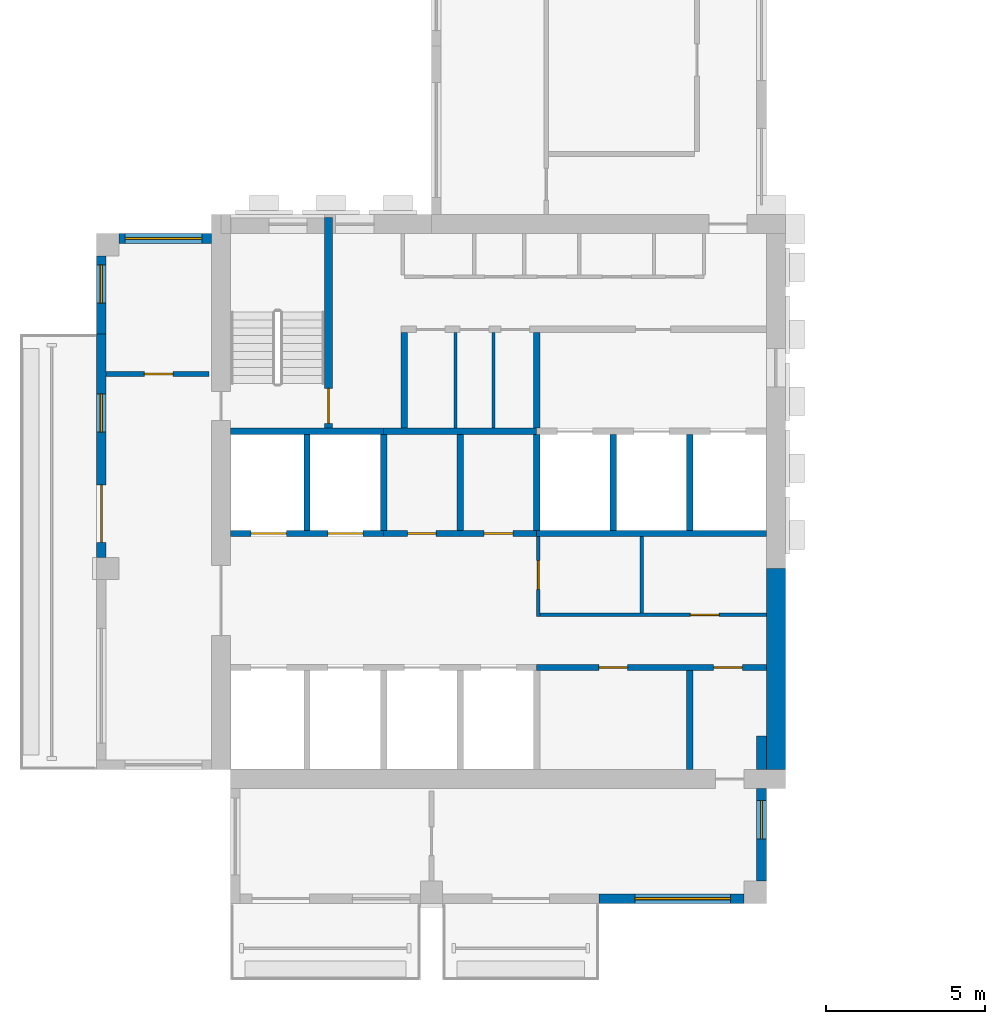
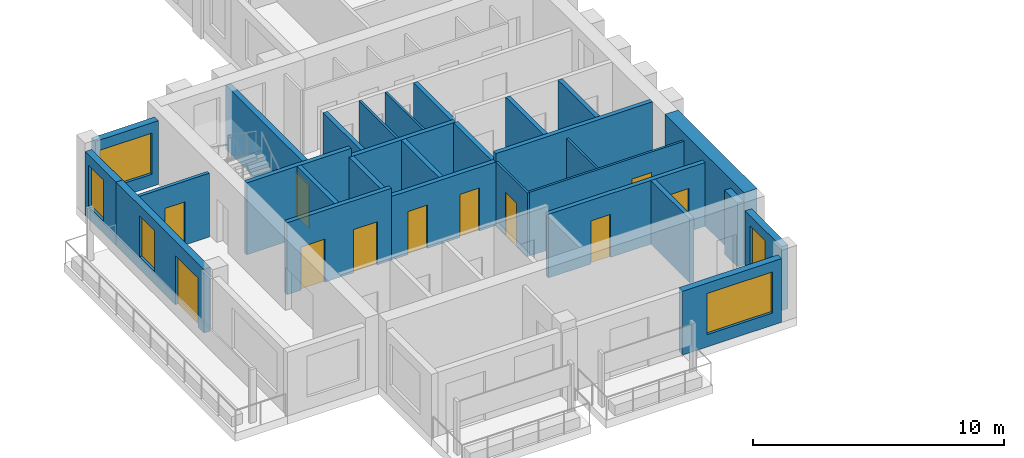
# One storey, part 2 of 9: 29 walls, 11 doors, 5 windows, 16 openings.
"""IFC4 building model written with IfcOpenShell, lengths in metres."""

from ifc_helpers import new_model, si_unit, direction, frame, frame_2d, origin, place, context, subcontext, project, spatial, rectangle, extrude, source, transform, mapped, material, layer, layer_set, type_object, element, fill, save


model = new_model("IFC4")

# Units and contexts
model_context = context("Model", 3, precision=1e-05, world=origin(), true_north=direction((0.0, 1.0)))
body_context = subcontext(model_context, "Body", "Model", "MODEL_VIEW")
ifc_project = project(units=[si_unit("LENGTHUNIT", "METRE"), si_unit("AREAUNIT", "SQUARE_METRE"), si_unit("VOLUMEUNIT", "CUBIC_METRE"), si_unit("PLANEANGLEUNIT", "RADIAN"), si_unit("MASSUNIT", "GRAM", prefix="KILO")], contexts=[model_context])

# Site, building, storey
site_placement = place(None, origin())
site = spatial("IfcSite", under=ifc_project, at=site_placement, CompositionType="ELEMENT")
building_placement = place(site_placement, origin())
building = spatial("IfcBuilding", under=site, at=building_placement, Name="Aurelian Terraces", CompositionType="ELEMENT")
storey_placement = place(building_placement, frame((0.0, 0.0, 298.5)))
storey = spatial("IfcBuildingStorey", under=building, at=storey_placement, Name="L68", CompositionType="ELEMENT", Elevation=298.5)

# Wall, opening, window
ifc_material_1 = material(Name="Terracotta rainscreen cladding", Category="masonry")
ifc_layer_1 = layer(ifc_material_1, 0.3)
ifc_layer_set_1 = layer_set([ifc_layer_1], Name="EW-300")
wall_type_1 = type_object("IfcWallType", Name="EW-300", PredefinedType="STANDARD", material=ifc_layer_set_1)
wall_1_placement = place(storey_placement, frame((15.75, 0.15, 0.0), z_axis=(0.0, 0.0, 1.0), x_axis=(1.0, 0.0, 0.0)))
wall_1 = element("IfcWall", 1, at=wall_1_placement, inside=storey, type_object=wall_type_1, Name="External wall L68 F01.3", PredefinedType="STANDARD", context=body_context, shape_type="SweptSolid", body=[
    extrude(rectangle(XDim=4.55, YDim=0.3, at=frame_2d((2.275, 0.0))), origin(), (0.0, 0.0, 1.0), 3.1),
])
shared_shape_1 = source(origin(), body_context, "Body", "SweptSolid", [
    extrude(rectangle(XDim=3.0, YDim=2.0, at=frame_2d((1.5, 1.0))), frame((0.0, 0.16, 0.0), z_axis=(0.0, -1.0, 0.0), x_axis=(1.0, 0.0, 0.0)), (0.0, 0.0, 1.0), 0.32),
])
opening_1_placement = place(wall_1_placement, frame((1.125, 0.0, 0.6)))
opening_1 = element("IfcOpeningElement", 2, at=opening_1_placement, cuts=wall_1, Name="Opening W3020", PredefinedType="OPENING", context=body_context, shape_type="MappedRepresentation", body=[
    mapped(shared_shape_1, transform((0.0, 0.0, 0.0), scale=1.0)),
])
ifc_material_2 = material(Name="Clear glazing", Category="glass")
window_type_1 = type_object("IfcWindowType", Name="W-3000x2000", PartitioningType="SINGLE_PANEL", PredefinedType="WINDOW", material=ifc_material_2)
shared_shape_2 = source(origin(), body_context, "Body", "SweptSolid", [
    extrude(rectangle(XDim=3.0, YDim=2.0, at=frame_2d((1.5, 1.0))), frame((0.0, 0.03, 0.0), z_axis=(0.0, -1.0, 0.0), x_axis=(1.0, 0.0, 0.0)), (0.0, 0.0, 1.0), 0.06),
])
window_1_placement = place(opening_1_placement, origin())
window_1 = element("IfcWindow", 3, at=window_1_placement, inside=storey, type_object=window_type_1, Name="Window L68 L68-F01-03-0", OverallHeight=2.0, OverallWidth=3.0, PartitioningType="SINGLE_PANEL", PredefinedType="WINDOW", context=body_context, shape_type="MappedRepresentation", body=[
    mapped(shared_shape_2, transform((0.0, 0.0, 0.0), scale=1.0)),
])
fill(opening_1, window_1)

# Wall
ifc_material_3 = material(Name="Concrete fc' 55 MPa", Category="concrete")
ifc_layer_2 = layer(ifc_material_3, 0.6)
ifc_layer_set_2 = layer_set([ifc_layer_2], Name="CORE WALL 600 FC55")
wall_type_2 = type_object("IfcWallType", Name="CORE WALL 600 FC55", PredefinedType="SHEAR", material=ifc_layer_set_2)
shared_shape_3 = source(origin(), body_context, "Body", "SweptSolid", [
    extrude(rectangle(XDim=6.3, YDim=0.6, at=frame_2d((3.15, 0.0))), origin(), (0.0, 0.0, 1.0), 3.5),
])
wall_2_placement = place(storey_placement, frame((21.3, 4.2, 0.0), z_axis=(0.0, 0.0, 1.0), x_axis=(0.0, 1.0, 0.0)))
element("IfcWall", 4, at=wall_2_placement, inside=storey, type_object=wall_type_2, Name="Core wall E L68", PredefinedType="SHEAR", context=body_context, shape_type="MappedRepresentation", body=[
    mapped(shared_shape_3, transform((0.0, 0.0, 0.0), scale=1.0)),
])

# Wall, opening, window
shared_shape_4 = source(origin(), body_context, "Body", "SweptSolid", [
    extrude(rectangle(XDim=2.9, YDim=0.3, at=frame_2d((1.45, 0.0))), origin(), (0.0, 0.0, 1.0), 3.1),
])
wall_3_placement = place(storey_placement, frame((20.85, 0.7, 0.0), z_axis=(0.0, 0.0, 1.0), x_axis=(0.0, 1.0, 0.0)))
wall_3 = element("IfcWall", 5, at=wall_3_placement, inside=storey, type_object=wall_type_1, Name="External wall L68 F02.4", PredefinedType="STANDARD", context=body_context, shape_type="MappedRepresentation", body=[
    mapped(shared_shape_4, transform((0.0, 0.0, 0.0), scale=1.0)),
])
shared_shape_5 = source(origin(), body_context, "Body", "SweptSolid", [
    extrude(rectangle(XDim=1.2, YDim=2.0, at=frame_2d((0.6, 1.0))), frame((0.0, 0.16, 0.0), z_axis=(0.0, -1.0, 0.0), x_axis=(1.0, 0.0, 0.0)), (0.0, 0.0, 1.0), 0.32),
])
opening_2_placement = place(wall_3_placement, frame((1.325, 0.0, 0.6)))
opening_2 = element("IfcOpeningElement", 6, at=opening_2_placement, cuts=wall_3, Name="Opening W1220", PredefinedType="OPENING", context=body_context, shape_type="MappedRepresentation", body=[
    mapped(shared_shape_5, transform((0.0, 0.0, 0.0), scale=1.0)),
])
window_type_2 = type_object("IfcWindowType", Name="W-1200x2000", PartitioningType="SINGLE_PANEL", PredefinedType="WINDOW", material=ifc_material_2)
shared_shape_6 = source(origin(), body_context, "Body", "SweptSolid", [
    extrude(rectangle(XDim=1.2, YDim=2.0, at=frame_2d((0.6, 1.0))), frame((0.0, 0.03, 0.0), z_axis=(0.0, -1.0, 0.0), x_axis=(1.0, 0.0, 0.0)), (0.0, 0.0, 1.0), 0.06),
])
window_2_placement = place(opening_2_placement, origin())
window_2 = element("IfcWindow", 7, at=window_2_placement, inside=storey, type_object=window_type_2, Name="Window L68 L68-F02-04-0", OverallHeight=2.0, OverallWidth=1.2, PartitioningType="SINGLE_PANEL", PredefinedType="WINDOW", context=body_context, shape_type="MappedRepresentation", body=[
    mapped(shared_shape_6, transform((0.0, 0.0, 0.0), scale=1.0)),
])
fill(opening_2, window_2)

wall_4_placement = place(storey_placement, frame((3.6, 20.85, 0.0), z_axis=(0.0, 0.0, 1.0), x_axis=(-1.0, 0.0, 0.0)))
wall_4 = element("IfcWall", 8, at=wall_4_placement, inside=storey, type_object=wall_type_1, Name="External wall L68 F09.18", PredefinedType="STANDARD", context=body_context, shape_type="MappedRepresentation", body=[
    mapped(shared_shape_4, transform((0.0, 0.0, 0.0), scale=1.0)),
])
shared_shape_7 = source(origin(), body_context, "Body", "SweptSolid", [
    extrude(rectangle(XDim=2.4, YDim=2.0, at=frame_2d((1.2, 1.0))), frame((0.0, 0.16, 0.0), z_axis=(0.0, -1.0, 0.0), x_axis=(1.0, 0.0, 0.0)), (0.0, 0.0, 1.0), 0.32),
])
opening_3_placement = place(wall_4_placement, frame((0.3, 0.0, 0.6)))
opening_3 = element("IfcOpeningElement", 9, at=opening_3_placement, cuts=wall_4, Name="Opening W2420", PredefinedType="OPENING", context=body_context, shape_type="MappedRepresentation", body=[
    mapped(shared_shape_7, transform((0.0, 0.0, 0.0), scale=1.0)),
])
window_type_3 = type_object("IfcWindowType", Name="W-2400x2000", PartitioningType="SINGLE_PANEL", PredefinedType="WINDOW", material=ifc_material_2)
shared_shape_8 = source(origin(), body_context, "Body", "SweptSolid", [
    extrude(rectangle(XDim=2.4, YDim=2.0, at=frame_2d((1.2, 1.0))), frame((0.0, 0.03, 0.0), z_axis=(0.0, -1.0, 0.0), x_axis=(1.0, 0.0, 0.0)), (0.0, 0.0, 1.0), 0.06),
])
window_3_placement = place(opening_3_placement, origin())
window_3 = element("IfcWindow", 10, at=window_3_placement, inside=storey, type_object=window_type_3, Name="Window L68 L68-F09-18-0", OverallHeight=2.0, OverallWidth=2.4, PartitioningType="SINGLE_PANEL", PredefinedType="WINDOW", context=body_context, shape_type="MappedRepresentation", body=[
    mapped(shared_shape_8, transform((0.0, 0.0, 0.0), scale=1.0)),
])
fill(opening_3, window_3)

# Wall
shared_shape_9 = source(origin(), body_context, "Body", "SweptSolid", [
    extrude(rectangle(XDim=1.05, YDim=0.3, at=frame_2d((0.525, 0.0))), origin(), (0.0, 0.0, 1.0), 3.1),
])
wall_5_placement = place(storey_placement, frame((20.85, 4.2, 0.0), z_axis=(0.0, 0.0, 1.0), x_axis=(0.0, 1.0, 0.0)))
element("IfcWall", 11, at=wall_5_placement, inside=storey, type_object=wall_type_1, Name="External wall L68 F02.4", PredefinedType="STANDARD", context=body_context, shape_type="MappedRepresentation", body=[
    mapped(shared_shape_9, transform((0.0, 0.0, 0.0), scale=1.0)),
])

# Wall, opening, window
shared_shape_10 = source(origin(), body_context, "Body", "SweptSolid", [
    extrude(rectangle(XDim=2.45, YDim=0.3, at=frame_2d((1.225, 0.0))), origin(), (0.0, 0.0, 1.0), 3.1),
])
wall_6_placement = place(storey_placement, frame((0.15, 20.3, 0.0), z_axis=(0.0, 0.0, 1.0), x_axis=(0.0, -1.0, 0.0)))
wall_6 = element("IfcWall", 12, at=wall_6_placement, inside=storey, type_object=wall_type_1, Name="External wall L68 F10.19", PredefinedType="STANDARD", context=body_context, shape_type="MappedRepresentation", body=[
    mapped(shared_shape_10, transform((0.0, 0.0, 0.0), scale=1.0)),
])
opening_4_placement = place(wall_6_placement, frame((0.275, 0.0, 0.6)))
opening_4 = element("IfcOpeningElement", 13, at=opening_4_placement, cuts=wall_6, Name="Opening W1220", PredefinedType="OPENING", context=body_context, shape_type="MappedRepresentation", body=[
    mapped(shared_shape_5, transform((0.0, 0.0, 0.0), scale=1.0)),
])
window_4_placement = place(opening_4_placement, origin())
window_4 = element("IfcWindow", 14, at=window_4_placement, inside=storey, type_object=window_type_2, Name="Window L68 L68-F10-19-0", OverallHeight=2.0, OverallWidth=1.2, PartitioningType="SINGLE_PANEL", PredefinedType="WINDOW", context=body_context, shape_type="MappedRepresentation", body=[
    mapped(shared_shape_6, transform((0.0, 0.0, 0.0), scale=1.0)),
])
fill(opening_4, window_4)

# Wall, openings, door, window
shared_shape_11 = source(origin(), body_context, "Body", "SweptSolid", [
    extrude(rectangle(XDim=7.0, YDim=0.3, at=frame_2d((3.5, 0.0))), origin(), (0.0, 0.0, 1.0), 3.1),
])
wall_7_placement = place(storey_placement, frame((0.15, 17.85, 0.0), z_axis=(0.0, 0.0, 1.0), x_axis=(0.0, -1.0, 0.0)))
wall_7 = element("IfcWall", 15, at=wall_7_placement, inside=storey, type_object=wall_type_1, Name="External wall L68 F10.20", PredefinedType="STANDARD", context=body_context, shape_type="MappedRepresentation", body=[
    mapped(shared_shape_11, transform((0.0, 0.0, 0.0), scale=1.0)),
])
shared_shape_12 = source(origin(), body_context, "Body", "SweptSolid", [
    extrude(rectangle(XDim=1.8, YDim=2.4, at=frame_2d((0.9, 1.2))), frame((0.0, 0.16, 0.0), z_axis=(0.0, -1.0, 0.0), x_axis=(1.0, 0.0, 0.0)), (0.0, 0.0, 1.0), 0.32),
])
opening_5_placement = place(wall_7_placement, frame((4.725, 0.0, 0.0)))
opening_5 = element("IfcOpeningElement", 16, at=opening_5_placement, cuts=wall_7, Name="Opening 86803", PredefinedType="OPENING", context=body_context, shape_type="MappedRepresentation", body=[
    mapped(shared_shape_12, transform((0.0, 0.0, 0.0), scale=1.0)),
])
opening_6_placement = place(wall_7_placement, frame((1.8688, 0.0, 0.6)))
opening_6 = element("IfcOpeningElement", 17, at=opening_6_placement, cuts=wall_7, Name="Opening W1220", PredefinedType="OPENING", context=body_context, shape_type="MappedRepresentation", body=[
    mapped(shared_shape_5, transform((0.0, 0.0, 0.0), scale=1.0)),
])
door_type_1 = type_object("IfcDoorType", Name="BD-1800x2400", OperationType="SLIDING_TO_LEFT", PredefinedType="DOOR", material=ifc_material_2)
shared_shape_13 = source(origin(), body_context, "Body", "SweptSolid", [
    extrude(rectangle(XDim=1.8, YDim=2.4, at=frame_2d((0.9, 1.2))), frame((0.0, 0.025, 0.0), z_axis=(0.0, -1.0, 0.0), x_axis=(1.0, 0.0, 0.0)), (0.0, 0.0, 1.0), 0.05),
])
door_1_placement = place(opening_5_placement, origin())
door_1 = element("IfcDoor", 18, at=door_1_placement, inside=storey, type_object=door_type_1, Name="Balcony door L68 F10.20", OperationType="SLIDING_TO_LEFT", OverallHeight=2.4, OverallWidth=1.8, PredefinedType="DOOR", context=body_context, shape_type="MappedRepresentation", body=[
    mapped(shared_shape_13, transform((0.0, 0.0, 0.0), scale=1.0)),
])
fill(opening_5, door_1)
window_5_placement = place(opening_6_placement, origin())
window_5 = element("IfcWindow", 19, at=window_5_placement, inside=storey, type_object=window_type_2, Name="Window L68 L68-F10-20-G0-0", OverallHeight=2.0, OverallWidth=1.2, PartitioningType="SINGLE_PANEL", PredefinedType="WINDOW", context=body_context, shape_type="MappedRepresentation", body=[
    mapped(shared_shape_6, transform((0.0, 0.0, 0.0), scale=1.0)),
])
fill(opening_6, window_5)

# Walls
ifc_material_4 = material(Name="Concrete fc' 40 MPa", Category="concrete")
ifc_layer_3 = layer(ifc_material_4, 0.2)
ifc_layer_set_3 = layer_set([ifc_layer_3], Name="Lift shaft wall 200")
wall_type_3 = type_object("IfcWallType", Name="Lift shaft wall 200", PredefinedType="SOLIDWALL", material=ifc_layer_set_3)
shared_shape_14 = source(origin(), body_context, "Body", "SweptSolid", [
    extrude(rectangle(XDim=3.0, YDim=0.2, at=frame_2d((1.5, 0.0))), origin(), (0.0, 0.0, 1.0), 3.1),
])
for number, where, z_axis, x_axis, name in (
    (20, (9.0, 11.7, 0.0), (0.0, 0.0, 1.0), (0.0, 1.0, 0.0), "L68 core wall CD-B2"),
    (21, (13.8, 11.7, 0.0), (0.0, 0.0, 1.0), (0.0, 1.0, 0.0), "L68 core wall CD-B4"),
):
    element("IfcWall", number, at=place(storey_placement, frame(where, z_axis=z_axis, x_axis=x_axis)), inside=storey, type_object=wall_type_3, Name=name, PredefinedType="SOLIDWALL", context=body_context, shape_type="MappedRepresentation", body=[
        mapped(shared_shape_14, transform((0.0, 0.0, 0.0), scale=1.0)),
    ])
shared_shape_15 = source(origin(), body_context, "Body", "SweptSolid", [
    extrude(rectangle(XDim=3.0, YDim=0.2, at=frame_2d((1.5, 0.0))), origin(), (0.0, 0.0, 1.0), 3.5),
])
for number, where, z_axis, x_axis, name in (
    (22, (6.6, 11.7, 0.0), (0.0, 0.0, 1.0), (0.0, 1.0, 0.0), "L68 core wall CD-B1"),
    (23, (16.2, 11.7, 0.0), (0.0, 0.0, 1.0), (0.0, 1.0, 0.0), "L68 core wall CD-B5"),
    (24, (18.6, 11.7, 0.0), (0.0, 0.0, 1.0), (0.0, 1.0, 0.0), "L68 core wall CD-B6"),
):
    element("IfcWall", number, at=place(storey_placement, frame(where, z_axis=z_axis, x_axis=x_axis)), inside=storey, type_object=wall_type_3, Name=name, PredefinedType="SOLIDWALL", context=body_context, shape_type="MappedRepresentation", body=[
        mapped(shared_shape_15, transform((0.0, 0.0, 0.0), scale=1.0)),
    ])

# Wall, openings, doors
shared_shape_16 = source(origin(), body_context, "Body", "SweptSolid", [
    extrude(rectangle(XDim=4.8, YDim=0.2, at=frame_2d((2.4, 0.0))), origin(), (0.0, 0.0, 1.0), 3.5),
])
wall_8_placement = place(storey_placement, frame((4.2, 11.6, 0.0), z_axis=(0.0, 0.0, 1.0), x_axis=(1.0, 0.0, 0.0)))
wall_8 = element("IfcWall", 25, at=wall_8_placement, inside=storey, type_object=wall_type_3, Name="L68 core wall CF-BF1", PredefinedType="SOLIDWALL", context=body_context, shape_type="MappedRepresentation", body=[
    mapped(shared_shape_16, transform((0.0, 0.0, 0.0), scale=1.0)),
])
shared_shape_17 = source(origin(), body_context, "Body", "SweptSolid", [
    extrude(rectangle(XDim=1.1, YDim=2.1, at=frame_2d((0.55, 1.05))), frame((0.0, 0.11, 0.0), z_axis=(0.0, -1.0, 0.0), x_axis=(1.0, 0.0, 0.0)), (0.0, 0.0, 1.0), 0.22),
])
opening_7_placement = place(wall_8_placement, frame((0.65, 0.0, 0.0)))
opening_7 = element("IfcOpeningElement", 26, at=opening_7_placement, cuts=wall_8, Name="Opening 67106", PredefinedType="OPENING", context=body_context, shape_type="MappedRepresentation", body=[
    mapped(shared_shape_17, transform((0.0, 0.0, 0.0), scale=1.0)),
])
opening_8_placement = place(wall_8_placement, frame((3.05, 0.0, 0.0)))
opening_8 = element("IfcOpeningElement", 27, at=opening_8_placement, cuts=wall_8, Name="Opening 67107", PredefinedType="OPENING", context=body_context, shape_type="MappedRepresentation", body=[
    mapped(shared_shape_17, transform((0.0, 0.0, 0.0), scale=1.0)),
])
ifc_material_5 = material(Name="Stainless steel", Category="steel")
door_type_2 = type_object("IfcDoorType", Name="Lift landing door 1100x2100", OperationType="SLIDING_TO_LEFT", PredefinedType="DOOR", material=ifc_material_5)
shared_shape_18 = source(origin(), body_context, "Body", "SweptSolid", [
    extrude(rectangle(XDim=1.1, YDim=2.1, at=frame_2d((0.55, 1.05))), frame((0.0, 0.025, 0.0), z_axis=(0.0, -1.0, 0.0), x_axis=(1.0, 0.0, 0.0)), (0.0, 0.0, 1.0), 0.05),
])
door_2_placement = place(opening_7_placement, origin())
door_2 = element("IfcDoor", 28, at=door_2_placement, inside=storey, type_object=door_type_2, Name="Lift landing door LH5 L68", OperationType="SLIDING_TO_LEFT", OverallHeight=2.1, OverallWidth=1.1, PredefinedType="DOOR", context=body_context, shape_type="MappedRepresentation", body=[
    mapped(shared_shape_18, transform((0.0, 0.0, 0.0), scale=1.0)),
])
fill(opening_7, door_2)
door_3_placement = place(opening_8_placement, origin())
door_3 = element("IfcDoor", 29, at=door_3_placement, inside=storey, type_object=door_type_2, Name="Lift landing door LH6 L68", OperationType="SLIDING_TO_LEFT", OverallHeight=2.1, OverallWidth=1.1, PredefinedType="DOOR", context=body_context, shape_type="MappedRepresentation", body=[
    mapped(shared_shape_18, transform((0.0, 0.0, 0.0), scale=1.0)),
])
fill(opening_8, door_3)

# Wall
wall_9_placement = place(storey_placement, frame((4.2, 14.8, 0.0), z_axis=(0.0, 0.0, 1.0), x_axis=(1.0, 0.0, 0.0)))
element("IfcWall", 30, at=wall_9_placement, inside=storey, type_object=wall_type_3, Name="L68 core wall CF-BB1", PredefinedType="SOLIDWALL", context=body_context, shape_type="MappedRepresentation", body=[
    mapped(shared_shape_16, transform((0.0, 0.0, 0.0), scale=1.0)),
])

# Wall, openings, doors
shared_shape_19 = source(origin(), body_context, "Body", "SweptSolid", [
    extrude(rectangle(XDim=4.8, YDim=0.2, at=frame_2d((2.4, 0.0))), origin(), (0.0, 0.0, 1.0), 3.1),
])
wall_10_placement = place(storey_placement, frame((9.0, 11.6, 0.0), z_axis=(0.0, 0.0, 1.0), x_axis=(1.0, 0.0, 0.0)))
wall_10 = element("IfcWall", 31, at=wall_10_placement, inside=storey, type_object=wall_type_3, Name="L68 core wall CF-BF2", PredefinedType="SOLIDWALL", context=body_context, shape_type="MappedRepresentation", body=[
    mapped(shared_shape_19, transform((0.0, 0.0, 0.0), scale=1.0)),
])
shared_shape_20 = source(origin(), body_context, "Body", "SweptSolid", [
    extrude(rectangle(XDim=0.9, YDim=2.1, at=frame_2d((0.45, 1.05))), frame((0.0, 0.11, 0.0), z_axis=(0.0, -1.0, 0.0), x_axis=(1.0, 0.0, 0.0)), (0.0, 0.0, 1.0), 0.22),
])
opening_9_placement = place(wall_10_placement, frame((0.75, 0.0, 0.0)))
opening_9 = element("IfcOpeningElement", 32, at=opening_9_placement, cuts=wall_10, Name="Opening 67108", PredefinedType="OPENING", context=body_context, shape_type="MappedRepresentation", body=[
    mapped(shared_shape_20, transform((0.0, 0.0, 0.0), scale=1.0)),
])
opening_10_placement = place(wall_10_placement, frame((3.15, 0.0, 0.0)))
opening_10 = element("IfcOpeningElement", 33, at=opening_10_placement, cuts=wall_10, Name="Opening 67109", PredefinedType="OPENING", context=body_context, shape_type="MappedRepresentation", body=[
    mapped(shared_shape_20, transform((0.0, 0.0, 0.0), scale=1.0)),
])
ifc_material_6 = material(Name="Steel door leaf", Category="steel")
door_type_3 = type_object("IfcDoorType", Name="Core service door 900x2100 right", OperationType="SINGLE_SWING_RIGHT", PredefinedType="DOOR", material=ifc_material_6)
shared_shape_21 = source(origin(), body_context, "Body", "SweptSolid", [
    extrude(rectangle(XDim=0.9, YDim=2.1, at=frame_2d((0.45, 1.05))), frame((0.0, 0.025, 0.0), z_axis=(0.0, -1.0, 0.0), x_axis=(1.0, 0.0, 0.0)), (0.0, 0.0, 1.0), 0.05),
])
door_4_placement = place(opening_9_placement, origin())
door_4 = element("IfcDoor", 34, at=door_4_placement, inside=storey, type_object=door_type_3, Name="Room door 67108", OperationType="SINGLE_SWING_RIGHT", OverallHeight=2.1, OverallWidth=0.9, PredefinedType="DOOR", context=body_context, shape_type="MappedRepresentation", body=[
    mapped(shared_shape_21, transform((0.0, 0.0, 0.0), scale=1.0)),
])
fill(opening_9, door_4)
door_type_4 = type_object("IfcDoorType", Name="Core service door 900x2100", OperationType="SINGLE_SWING_LEFT", PredefinedType="DOOR", material=ifc_material_6)
door_5_placement = place(opening_10_placement, origin())
door_5 = element("IfcDoor", 35, at=door_5_placement, inside=storey, type_object=door_type_4, Name="Room door 67109", OperationType="SINGLE_SWING_LEFT", OverallHeight=2.1, OverallWidth=0.9, PredefinedType="DOOR", context=body_context, shape_type="MappedRepresentation", body=[
    mapped(shared_shape_21, transform((0.0, 0.0, 0.0), scale=1.0)),
])
fill(opening_10, door_5)

# Walls
wall_11_placement = place(storey_placement, frame((9.0, 14.8, 0.0), z_axis=(0.0, 0.0, 1.0), x_axis=(1.0, 0.0, 0.0)))
element("IfcWall", 36, at=wall_11_placement, inside=storey, type_object=wall_type_3, Name="L68 core wall CF-BB2", PredefinedType="SOLIDWALL", context=body_context, shape_type="MappedRepresentation", body=[
    mapped(shared_shape_19, transform((0.0, 0.0, 0.0), scale=1.0)),
])
shared_shape_22 = source(origin(), body_context, "Body", "SweptSolid", [
    extrude(rectangle(XDim=7.2, YDim=0.2, at=frame_2d((3.6, 0.0))), origin(), (0.0, 0.0, 1.0), 3.5),
])
wall_12_placement = place(storey_placement, frame((13.8, 11.6, 0.0), z_axis=(0.0, 0.0, 1.0), x_axis=(1.0, 0.0, 0.0)))
element("IfcWall", 37, at=wall_12_placement, inside=storey, type_object=wall_type_3, Name="L68 core wall CF-BF3", PredefinedType="SOLIDWALL", context=body_context, shape_type="MappedRepresentation", body=[
    mapped(shared_shape_22, transform((0.0, 0.0, 0.0), scale=1.0)),
])
ifc_material_7 = material(Name="Gypsum board on steel studs", Category="steel")
ifc_layer_4 = layer(ifc_material_7, 0.2)
ifc_layer_set_4 = layer_set([ifc_layer_4], Name="Core partition 200")
wall_type_4 = type_object("IfcWallType", Name="Core partition 200", PredefinedType="PARTITIONING", material=ifc_layer_set_4)
shared_shape_23 = source(origin(), body_context, "Body", "SweptSolid", [
    extrude(rectangle(XDim=3.0, YDim=0.2, at=frame_2d((1.5, 0.0))), origin(), (0.0, 0.0, 1.0), 3.1),
])
for number, where, z_axis, x_axis, name in (
    (38, (11.4, 11.7, 0.0), (0.0, 0.0, 1.0), (0.0, 1.0, 0.0), "L68 core wall CS-B3"),
    (39, (9.65, 14.9, 0.0), (0.0, 0.0, 1.0), (0.0, 1.0, 0.0), "L68 core wall CP-VEST"),
    (40, (13.8, 14.9, 0.0), (0.0, 0.0, 1.0), (0.0, 1.0, 0.0), "L68 core wall CP-FFL"),
):
    element("IfcWall", number, at=place(storey_placement, frame(where, z_axis=z_axis, x_axis=x_axis)), inside=storey, type_object=wall_type_4, Name=name, PredefinedType="PARTITIONING", context=body_context, shape_type="MappedRepresentation", body=[
        mapped(shared_shape_23, transform((0.0, 0.0, 0.0), scale=1.0)),
    ])
shared_shape_24 = source(origin(), body_context, "Body", "SweptSolid", [
    extrude(rectangle(XDim=3.1, YDim=0.2, at=frame_2d((1.55, 0.0))), origin(), (0.0, 0.0, 1.0), 3.1),
])
wall_13_placement = place(storey_placement, frame((18.6, 4.2, 0.0), z_axis=(0.0, 0.0, 1.0), x_axis=(0.0, 1.0, 0.0)))
element("IfcWall", 41, at=wall_13_placement, inside=storey, type_object=wall_type_4, Name="L68 core wall CS-A6", PredefinedType="PARTITIONING", context=body_context, shape_type="MappedRepresentation", body=[
    mapped(shared_shape_24, transform((0.0, 0.0, 0.0), scale=1.0)),
])

# Wall, openings, doors
shared_shape_25 = source(origin(), body_context, "Body", "SweptSolid", [
    extrude(rectangle(XDim=7.2, YDim=0.2, at=frame_2d((3.6, 0.0))), origin(), (0.0, 0.0, 1.0), 3.1),
])
wall_14_placement = place(storey_placement, frame((13.8, 7.4, 0.0), z_axis=(0.0, 0.0, 1.0), x_axis=(1.0, 0.0, 0.0)))
wall_14 = element("IfcWall", 42, at=wall_14_placement, inside=storey, type_object=wall_type_3, Name="L68 core wall CF-AF2", PredefinedType="SOLIDWALL", context=body_context, shape_type="MappedRepresentation", body=[
    mapped(shared_shape_25, transform((0.0, 0.0, 0.0), scale=1.0)),
])
opening_11_placement = place(wall_14_placement, frame((1.95, 0.0, 0.0)))
opening_11 = element("IfcOpeningElement", 43, at=opening_11_placement, cuts=wall_14, Name="Opening 67104", PredefinedType="OPENING", context=body_context, shape_type="MappedRepresentation", body=[
    mapped(shared_shape_20, transform((0.0, 0.0, 0.0), scale=1.0)),
])
opening_12_placement = place(wall_14_placement, frame((5.55, 0.0, 0.0)))
opening_12 = element("IfcOpeningElement", 44, at=opening_12_placement, cuts=wall_14, Name="Opening 67105", PredefinedType="OPENING", context=body_context, shape_type="MappedRepresentation", body=[
    mapped(shared_shape_20, transform((0.0, 0.0, 0.0), scale=1.0)),
])
door_6_placement = place(opening_11_placement, origin())
door_6 = element("IfcDoor", 45, at=door_6_placement, inside=storey, type_object=door_type_3, Name="Room door 67104", OperationType="SINGLE_SWING_RIGHT", OverallHeight=2.1, OverallWidth=0.9, PredefinedType="DOOR", context=body_context, shape_type="MappedRepresentation", body=[
    mapped(shared_shape_21, transform((0.0, 0.0, 0.0), scale=1.0)),
])
fill(opening_11, door_6)
door_7_placement = place(opening_12_placement, origin())
door_7 = element("IfcDoor", 46, at=door_7_placement, inside=storey, type_object=door_type_4, Name="Room door 67105", OperationType="SINGLE_SWING_LEFT", OverallHeight=2.1, OverallWidth=0.9, PredefinedType="DOOR", context=body_context, shape_type="MappedRepresentation", body=[
    mapped(shared_shape_21, transform((0.0, 0.0, 0.0), scale=1.0)),
])
fill(opening_12, door_7)

# Wall, opening, door
ifc_layer_5 = layer(ifc_material_4, 0.25)
ifc_layer_set_5 = layer_set([ifc_layer_5], Name="Stair enclosure wall 250")
wall_type_5 = type_object("IfcWallType", Name="Stair enclosure wall 250", PredefinedType="SOLIDWALL", material=ifc_layer_set_5)
shared_shape_26 = source(origin(), body_context, "Body", "SweptSolid", [
    extrude(rectangle(XDim=6.6, YDim=0.25, at=frame_2d((3.3, 0.0))), origin(), (0.0, 0.0, 1.0), 3.1),
])
wall_15_placement = place(storey_placement, frame((7.275, 14.9, 0.0), z_axis=(0.0, 0.0, 1.0), x_axis=(0.0, 1.0, 0.0)))
wall_15 = element("IfcWall", 47, at=wall_15_placement, inside=storey, type_object=wall_type_5, Name="L68 core wall ST-S1-E", PredefinedType="SOLIDWALL", context=body_context, shape_type="MappedRepresentation", body=[
    mapped(shared_shape_26, transform((0.0, 0.0, 0.0), scale=1.0)),
])
shared_shape_27 = source(origin(), body_context, "Body", "SweptSolid", [
    extrude(rectangle(XDim=1.1, YDim=2.1, at=frame_2d((0.55, 1.05))), frame((0.0, 0.135, 0.0), z_axis=(0.0, -1.0, 0.0), x_axis=(1.0, 0.0, 0.0)), (0.0, 0.0, 1.0), 0.27),
])
opening_13_placement = place(wall_15_placement, frame((0.15, 0.0, 0.0)))
opening_13 = element("IfcOpeningElement", 48, at=opening_13_placement, cuts=wall_15, Name="Opening 67113", PredefinedType="OPENING", context=body_context, shape_type="MappedRepresentation", body=[
    mapped(shared_shape_27, transform((0.0, 0.0, 0.0), scale=1.0)),
])
door_type_5 = type_object("IfcDoorType", Name="Core fire door 1100x2100", OperationType="SINGLE_SWING_LEFT", PredefinedType="DOOR", material=ifc_material_6)
door_8_placement = place(opening_13_placement, origin())
door_8 = element("IfcDoor", 49, at=door_8_placement, inside=storey, type_object=door_type_5, Name="Stair door 67113", OperationType="SINGLE_SWING_LEFT", OverallHeight=2.1, OverallWidth=1.1, PredefinedType="DOOR", context=body_context, shape_type="MappedRepresentation", body=[
    mapped(shared_shape_18, transform((0.0, 0.0, 0.0), scale=1.0)),
])
fill(opening_13, door_8)

# Walls
ifc_layer_6 = layer(ifc_material_7, 0.1)
ifc_layer_set_6 = layer_set([ifc_layer_6], Name="Core partition 100")
wall_type_6 = type_object("IfcWallType", Name="Core partition 100", PredefinedType="PARTITIONING", material=ifc_layer_set_6)
shared_shape_28 = source(origin(), body_context, "Body", "SweptSolid", [
    extrude(rectangle(XDim=3.0, YDim=0.1, at=frame_2d((1.5, 0.0))), origin(), (0.0, 0.0, 1.0), 3.1),
])
for number, where, z_axis, x_axis, name in (
    (50, (11.25, 14.9, 0.0), (0.0, 0.0, 1.0), (0.0, 1.0, 0.0), "L68 core wall CP-SV1"),
    (51, (12.45, 14.9, 0.0), (0.0, 0.0, 1.0), (0.0, 1.0, 0.0), "L68 core wall CP-SV2"),
):
    element("IfcWall", number, at=place(storey_placement, frame(where, z_axis=z_axis, x_axis=x_axis)), inside=storey, type_object=wall_type_6, Name=name, PredefinedType="PARTITIONING", context=body_context, shape_type="MappedRepresentation", body=[
        mapped(shared_shape_28, transform((0.0, 0.0, 0.0), scale=1.0)),
    ])

# Wall, opening, door
shared_shape_29 = source(origin(), body_context, "Body", "SweptSolid", [
    extrude(rectangle(XDim=2.5, YDim=0.1, at=frame_2d((1.25, 0.0))), origin(), (0.0, 0.0, 1.0), 3.1),
])
wall_16_placement = place(storey_placement, frame((13.85, 9.0, 0.0), z_axis=(0.0, 0.0, 1.0), x_axis=(0.0, 1.0, 0.0)))
wall_16 = element("IfcWall", 52, at=wall_16_placement, inside=storey, type_object=wall_type_6, Name="L68 core wall SV-EW", PredefinedType="PARTITIONING", context=body_context, shape_type="MappedRepresentation", body=[
    mapped(shared_shape_29, transform((0.0, 0.0, 0.0), scale=1.0)),
])
shared_shape_30 = source(origin(), body_context, "Body", "SweptSolid", [
    extrude(rectangle(XDim=0.9, YDim=2.1, at=frame_2d((0.45, 1.05))), frame((0.0, 0.06, 0.0), z_axis=(0.0, -1.0, 0.0), x_axis=(1.0, 0.0, 0.0)), (0.0, 0.0, 1.0), 0.12),
])
opening_14_placement = place(wall_16_placement, frame((0.85, 0.0, 0.0)))
opening_14 = element("IfcOpeningElement", 53, at=opening_14_placement, cuts=wall_16, Name="Opening 67124", PredefinedType="OPENING", context=body_context, shape_type="MappedRepresentation", body=[
    mapped(shared_shape_30, transform((0.0, 0.0, 0.0), scale=1.0)),
])
door_9_placement = place(opening_14_placement, origin())
door_9 = element("IfcDoor", 54, at=door_9_placement, inside=storey, type_object=door_type_3, Name="Room door 67124", OperationType="SINGLE_SWING_RIGHT", OverallHeight=2.1, OverallWidth=0.9, PredefinedType="DOOR", context=body_context, shape_type="MappedRepresentation", body=[
    mapped(shared_shape_21, transform((0.0, 0.0, 0.0), scale=1.0)),
])
fill(opening_14, door_9)

# Wall
shared_shape_31 = source(origin(), body_context, "Body", "SweptSolid", [
    extrude(rectangle(XDim=2.4, YDim=0.1, at=frame_2d((1.2, 0.0))), origin(), (0.0, 0.0, 1.0), 3.1),
])
wall_17_placement = place(storey_placement, frame((17.095, 9.1, 0.0), z_axis=(0.0, 0.0, 1.0), x_axis=(0.0, 1.0, 0.0)))
element("IfcWall", 55, at=wall_17_placement, inside=storey, type_object=wall_type_6, Name="L68 core wall SV-EP", PredefinedType="PARTITIONING", context=body_context, shape_type="MappedRepresentation", body=[
    mapped(shared_shape_31, transform((0.0, 0.0, 0.0), scale=1.0)),
])

# Wall, opening, door
shared_shape_32 = source(origin(), body_context, "Body", "SweptSolid", [
    extrude(rectangle(XDim=7.2, YDim=0.1, at=frame_2d((3.6, 0.0))), origin(), (0.0, 0.0, 1.0), 3.1),
])
wall_18_placement = place(storey_placement, frame((13.8, 9.05, 0.0), z_axis=(0.0, 0.0, 1.0), x_axis=(1.0, 0.0, 0.0)))
wall_18 = element("IfcWall", 56, at=wall_18_placement, inside=storey, type_object=wall_type_6, Name="L68 core wall SV-ES", PredefinedType="PARTITIONING", context=body_context, shape_type="MappedRepresentation", body=[
    mapped(shared_shape_32, transform((0.0, 0.0, 0.0), scale=1.0)),
])
opening_15_placement = place(wall_18_placement, frame((4.8225, 0.0, 0.0)))
opening_15 = element("IfcOpeningElement", 57, at=opening_15_placement, cuts=wall_18, Name="Opening 67123", PredefinedType="OPENING", context=body_context, shape_type="MappedRepresentation", body=[
    mapped(shared_shape_30, transform((0.0, 0.0, 0.0), scale=1.0)),
])
door_10_placement = place(opening_15_placement, origin())
door_10 = element("IfcDoor", 58, at=door_10_placement, inside=storey, type_object=door_type_4, Name="Room door 67123", OperationType="SINGLE_SWING_LEFT", OverallHeight=2.1, OverallWidth=0.9, PredefinedType="DOOR", context=body_context, shape_type="MappedRepresentation", body=[
    mapped(shared_shape_21, transform((0.0, 0.0, 0.0), scale=1.0)),
])
fill(opening_15, door_10)

ifc_layer_7 = layer(ifc_material_7, 0.15)
ifc_layer_set_7 = layer_set([ifc_layer_7], Name="Partition 150")
wall_type_7 = type_object("IfcWallType", Name="Partition 150", PredefinedType="PARTITIONING", material=ifc_layer_set_7)
shared_shape_33 = source(origin(), body_context, "Body", "SweptSolid", [
    extrude(rectangle(XDim=3.225, YDim=0.15, at=frame_2d((1.6125, 0.0))), origin(), (0.0, 0.0, 1.0), 3.1),
])
wall_19_placement = place(storey_placement, frame((0.3, 16.6, 0.0), z_axis=(0.0, 0.0, 1.0), x_axis=(1.0, 0.0, 0.0)))
wall_19 = element("IfcWall", 59, at=wall_19_placement, inside=storey, type_object=wall_type_7, Name="Partition", PredefinedType="PARTITIONING", context=body_context, shape_type="MappedRepresentation", body=[
    mapped(shared_shape_33, transform((0.0, 0.0, 0.0), scale=1.0)),
])
shared_shape_34 = source(origin(), body_context, "Body", "SweptSolid", [
    extrude(rectangle(XDim=0.9, YDim=2.1, at=frame_2d((0.45, 1.05))), frame((0.0, 0.085, 0.0), z_axis=(0.0, -1.0, 0.0), x_axis=(1.0, 0.0, 0.0)), (0.0, 0.0, 1.0), 0.17),
])
opening_16_placement = place(wall_19_placement, frame((1.2, 0.0, 0.0)))
opening_16 = element("IfcOpeningElement", 60, at=opening_16_placement, cuts=wall_19, Name="Opening 768004", PredefinedType="OPENING", context=body_context, shape_type="MappedRepresentation", body=[
    mapped(shared_shape_34, transform((0.0, 0.0, 0.0), scale=1.0)),
])
ifc_material_8 = material(Name="Timber door leaf", Category="wood")
door_type_6 = type_object("IfcDoorType", Name="Room door 900x2100 right", OperationType="SINGLE_SWING_RIGHT", PredefinedType="DOOR", material=ifc_material_8)
door_11_placement = place(opening_16_placement, origin())
door_11 = element("IfcDoor", 61, at=door_11_placement, inside=storey, type_object=door_type_6, Name="Door 768004", OperationType="SINGLE_SWING_RIGHT", OverallHeight=2.1, OverallWidth=0.9, PredefinedType="DOOR", context=body_context, shape_type="MappedRepresentation", body=[
    mapped(shared_shape_21, transform((0.0, 0.0, 0.0), scale=1.0)),
])
fill(opening_16, door_11)

save(model, "model.ifc")
